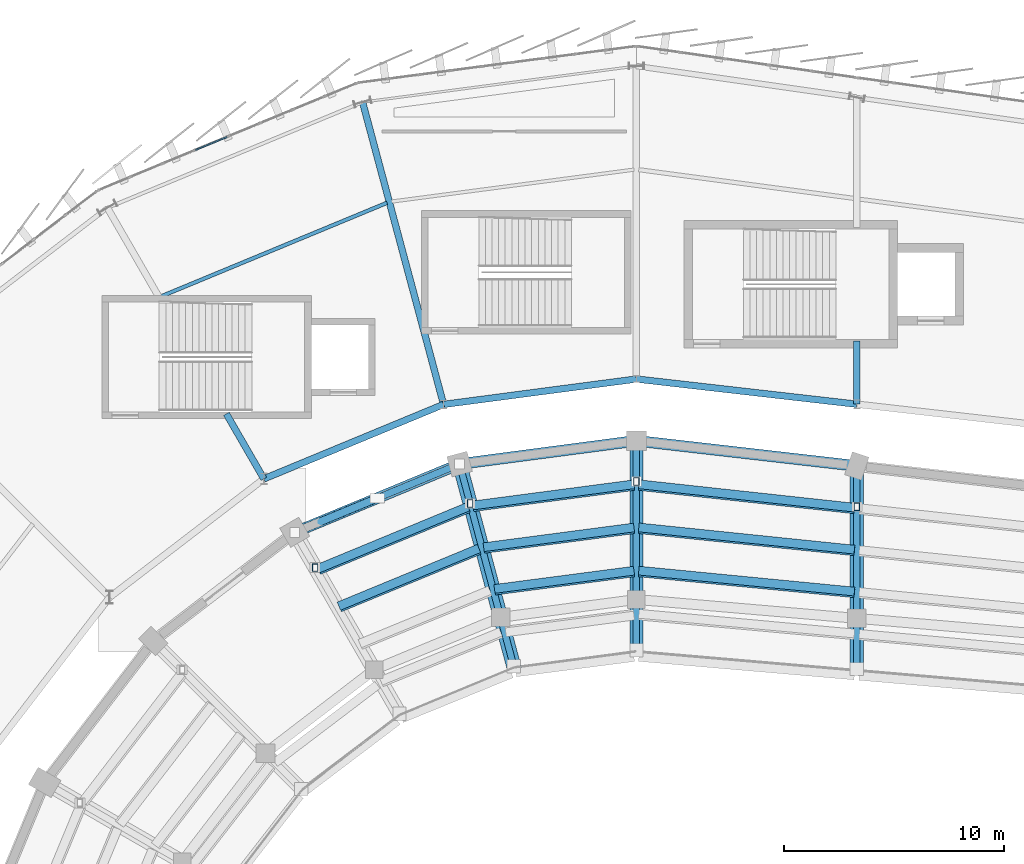
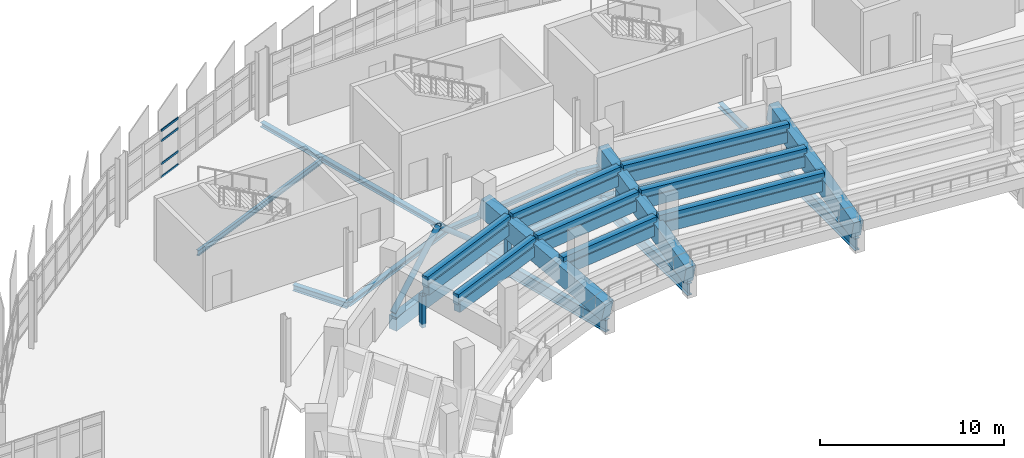
# One storey, part 50 of 120: 32 beams, 10 members, 1 element without a shape of its own.
"""IFC4 building model written with IfcOpenShell, lengths in metres."""

from ifc_helpers import new_model, si_unit, direction, frame, origin, origin_2d, place, context, subcontext, project, spatial, rectangle, hollow_rectangle, hollow_circle, i_section, extrude, material, layer, layer_set, material_profile, profile_set, type_object, element, aggregate, save


model = new_model("IFC4")

# Units and contexts
model_context = context("Model", 3, precision=1e-05, world=origin(), true_north=direction((0.0, 1.0)))
body_context = subcontext(model_context, "Body", "Model", "MODEL_VIEW")
ifc_project = project(units=[si_unit("LENGTHUNIT", "METRE"), si_unit("AREAUNIT", "SQUARE_METRE"), si_unit("VOLUMEUNIT", "CUBIC_METRE"), si_unit("PLANEANGLEUNIT", "RADIAN"), si_unit("MASSUNIT", "GRAM", prefix="KILO")], contexts=[model_context])

# Site, building, storey
site_placement = place(None, origin())
site = spatial("IfcSite", under=ifc_project, at=site_placement, CompositionType="ELEMENT")
building_placement = place(site_placement, origin())
building = spatial("IfcBuilding", under=site, at=building_placement, Name="Sohan Crest Arena", CompositionType="ELEMENT")
storey_placement = place(building_placement, frame((0.0, 0.0, 13.5)))
storey = spatial("IfcBuildingStorey", under=building, at=storey_placement, Name="L03", CompositionType="ELEMENT", Elevation=13.5)

# Curtain wall, members
ifc_material_1 = material(Name="Thermally broken anodised aluminium", Category="aluminium")
ifc_layer = layer(ifc_material_1, 0.199951171875, Name="Thermally broken anodised aluminium")
ifc_layer_set = layer_set([ifc_layer], Name="Thermally broken anodised aluminium")
curtain_wall_type = type_object("IfcCurtainWallType", Name="ARC-CW02", PredefinedType="NOTDEFINED", material=ifc_layer_set)
curtain_wall_placement = place(storey_placement, origin())
curtain_wall = element("IfcCurtainWall", 1, at=curtain_wall_placement, inside=storey, type_object=curtain_wall_type, Name="Unitised curtain wall CW-081", PredefinedType="NOTDEFINED")
ifc_material_profile_1 = material_profile(ifc_material_1, rectangle(XDim=0.06494140625, YDim=0.139892578125, at=origin_2d()), Name="ALU-TRAN 65x140")
ifc_profile_set_1 = profile_set([ifc_material_profile_1], Name="Thermally broken anodised aluminium")
member_type_1 = type_object("IfcMemberType", Name="ARC-CW-TR02", PredefinedType="USERDEFINED", material=ifc_profile_set_1)
member_1_placement = place(storey_placement, frame((79.4169921875, 122.779052734375, 0.032470703125), z_axis=(-0.923909931744, -0.382610033878, 0.0), x_axis=(0.382610033878, -0.923909931744, 0.0)))
member_1 = element("IfcMember", 2, at=member_1_placement, type_object=member_type_1, Name="CW-081 transom 5.1", ObjectType="TRANSOM", PredefinedType="USERDEFINED", context=body_context, shape_type="SweptSolid", body=[
    extrude(rectangle(XDim=0.06494140625, YDim=0.139892578125, at=origin_2d()), origin(), (0.0, 0.0, 1.0), 1.53076171875),
])
member_2_placement = place(storey_placement, frame((79.4169921875, 122.779052734375, 0.89990234375), z_axis=(-0.923909931744, -0.382610033878, 0.0), x_axis=(0.382610033878, -0.923909931744, 0.0)))
member_2 = element("IfcMember", 3, at=member_2_placement, type_object=member_type_1, Name="CW-081 transom 5.2", ObjectType="TRANSOM", PredefinedType="USERDEFINED", context=body_context, shape_type="SweptSolid", body=[
    extrude(rectangle(XDim=0.06494140625, YDim=0.139892578125, at=origin_2d()), origin(), (0.0, 0.0, 1.0), 1.53076171875),
])
member_3_placement = place(storey_placement, frame((79.4169921875, 122.779052734375, 2.419921875), z_axis=(-0.923909931744, -0.382610033878, 0.0), x_axis=(0.382610033878, -0.923909931744, 0.0)))
member_3 = element("IfcMember", 4, at=member_3_placement, type_object=member_type_1, Name="CW-081 transom 5.3", ObjectType="TRANSOM", PredefinedType="USERDEFINED", context=body_context, shape_type="SweptSolid", body=[
    extrude(rectangle(XDim=0.06494140625, YDim=0.139892578125, at=origin_2d()), origin(), (0.0, 0.0, 1.0), 1.53076171875),
])
member_4_placement = place(storey_placement, frame((79.4169921875, 122.779052734375, 3.08740234375), z_axis=(-0.923909931744, -0.382610033878, 0.0), x_axis=(0.382610033878, -0.923909931744, 0.0)))
member_4 = element("IfcMember", 5, at=member_4_placement, type_object=member_type_1, Name="CW-081 transom 5.4", ObjectType="TRANSOM", PredefinedType="USERDEFINED", context=body_context, shape_type="SweptSolid", body=[
    extrude(rectangle(XDim=0.06494140625, YDim=0.139892578125, at=origin_2d()), origin(), (0.0, 0.0, 1.0), 1.53076171875),
])
aggregate(curtain_wall, [member_1, member_2, member_3, member_4])

# Beams
ifc_material_2 = material(Name="Steel S355", Category="steel")
ifc_material_profile_2 = material_profile(ifc_material_2, i_section(OverallWidth=0.169921875, OverallDepth=0.360107421875, WebThickness=0.008056640625, FlangeThickness=0.0126953125, at=origin_2d()), Name="IPE 360")
ifc_profile_set_2 = profile_set([ifc_material_profile_2], Name="Steel S355")
beam_type_1 = type_object("IfcBeamType", Name="STR-BM-B02", PredefinedType="JOIST", material=ifc_profile_set_2)
beam_1_placement = place(storey_placement, frame((86.68798828125, 119.7958984375, -0.429931640625), z_axis=(-0.923874316241, -0.382696025312, 0.0), x_axis=(0.382696025312, -0.923874316241, 0.0)))
element("IfcBeam", 6, at=beam_1_placement, inside=storey, type_object=beam_type_1, Name="Structural beam J-L03-1406", PredefinedType="JOIST", context=body_context, shape_type="SweptSolid", body=[
    extrude(i_section(OverallWidth=0.169921875, OverallDepth=0.360107421875, WebThickness=0.008056640625, FlangeThickness=0.0126953125, at=origin_2d()), origin(), (0.0, 0.0, 1.0), 11.0869140625),
])
ifc_material_profile_3 = material_profile(ifc_material_2, i_section(OverallWidth=0.300048828125, OverallDepth=0.300048828125, WebThickness=0.010986328125, FlangeThickness=0.01904296875, at=origin_2d()), Name="HEB 300")
ifc_profile_set_3 = profile_set([ifc_material_profile_3], Name="Steel S355")
beam_type_2 = type_object("IfcBeamType", Name="STR-BM-B12", PredefinedType="BEAM", material=ifc_profile_set_3)
beam_2_placement = place(storey_placement, frame((98.0, 111.800048828125, -0.39990234375), z_axis=(-0.991439032147, -0.130570461953, 0.0), x_axis=(0.130570461953, -0.991439032147, 0.0)))
element("IfcBeam", 7, at=beam_2_placement, inside=storey, type_object=beam_type_2, Name="Structural beam G-L03-1400", PredefinedType="BEAM", context=body_context, shape_type="SweptSolid", body=[
    extrude(i_section(OverallWidth=0.300048828125, OverallDepth=0.300048828125, WebThickness=0.010986328125, FlangeThickness=0.01904296875, at=origin_2d()), origin(), (0.0, 0.0, 1.0), 8.823486328125),
])
beam_3_placement = place(storey_placement, frame((89.251953125, 110.64794921875, -0.39990234375), z_axis=(-0.258808560729, 0.965928635508, 0.0), x_axis=(-0.965928635508, -0.258808560729, 0.0)))
element("IfcBeam", 8, at=beam_3_placement, inside=storey, type_object=beam_type_2, Name="Structural beam G-L03-1403", PredefinedType="BEAM", context=body_context, shape_type="SweptSolid", body=[
    extrude(i_section(OverallWidth=0.300048828125, OverallDepth=0.300048828125, WebThickness=0.010986328125, FlangeThickness=0.01904296875, at=origin_2d()), origin(), (0.0, 0.0, 1.0), 14.199951171875),
])
beam_4_placement = place(storey_placement, frame((89.251953125, 110.64794921875, -0.39990234375), z_axis=(-0.923904876385, -0.38262224111, 0.0), x_axis=(0.38262224111, -0.923904876385, 0.0)))
element("IfcBeam", 9, at=beam_4_placement, inside=storey, type_object=beam_type_2, Name="Structural beam G-L03-1404", PredefinedType="BEAM", context=body_context, shape_type="SweptSolid", body=[
    extrude(i_section(OverallWidth=0.300048828125, OverallDepth=0.300048828125, WebThickness=0.010986328125, FlangeThickness=0.01904296875, at=origin_2d()), origin(), (0.0, 0.0, 1.0), 8.8232421875),
])
beam_5_placement = place(storey_placement, frame((108.0, 110.656982421875, -0.39990234375), z_axis=(0.0, 1.0, 0.0), x_axis=(-1.0, 0.0, 0.0)))
element("IfcBeam", 10, at=beam_5_placement, inside=storey, type_object=beam_type_2, Name="Structural beam G-L03-1548", PredefinedType="BEAM", context=body_context, shape_type="SweptSolid", body=[
    extrude(i_section(OverallWidth=0.300048828125, OverallDepth=0.300048828125, WebThickness=0.010986328125, FlangeThickness=0.01904296875, at=origin_2d()), origin(), (0.0, 0.0, 1.0), 2.863037109375),
])
beam_6_placement = place(storey_placement, frame((108.0, 110.656982421875, -0.39990234375), z_axis=(-0.99353032697, 0.113567114035, 0.0), x_axis=(-0.113567114035, -0.99353032697, 0.0)))
element("IfcBeam", 11, at=beam_6_placement, inside=storey, type_object=beam_type_2, Name="Structural beam G-L03-1550", PredefinedType="BEAM", context=body_context, shape_type="SweptSolid", body=[
    extrude(i_section(OverallWidth=0.300048828125, OverallDepth=0.300048828125, WebThickness=0.010986328125, FlangeThickness=0.01904296875, at=origin_2d()), origin(), (0.0, 0.0, 1.0), 10.065185546875),
])
ifc_material_profile_4 = material_profile(ifc_material_2, i_section(OverallWidth=0.300048828125, OverallDepth=0.39990234375, WebThickness=0.013427734375, FlangeThickness=0.02392578125, at=origin_2d()), Name="HEB 400")
ifc_profile_set_4 = profile_set([ifc_material_profile_4], Name="Steel S355")
beam_type_3 = type_object("IfcBeamType", Name="STR-BM-B13", PredefinedType="BEAM", material=ifc_profile_set_4)
beam_7_placement = place(storey_placement, frame((81.10009765625, 107.27197265625, -0.449951171875), z_axis=(-0.500026652407, 0.866010015463, 0.0), x_axis=(-0.866010015463, -0.500026652407, 0.0)))
element("IfcBeam", 12, at=beam_7_placement, inside=storey, type_object=beam_type_3, Name="Structural beam G-L03-1407", PredefinedType="BEAM", context=body_context, shape_type="SweptSolid", body=[
    extrude(i_section(OverallWidth=0.300048828125, OverallDepth=0.39990234375, WebThickness=0.013427734375, FlangeThickness=0.02392578125, at=origin_2d()), origin(), (0.0, 0.0, 1.0), 3.404052734375),
])
ifc_material_profile_5 = material_profile(ifc_material_2, i_section(OverallWidth=0.300048828125, OverallDepth=0.800048828125, WebThickness=0.017578125, FlangeThickness=0.032958984375, at=origin_2d()), Name="HEB 800")
ifc_profile_set_5 = profile_set([ifc_material_profile_5], Name="Steel S355")
beam_type_4 = type_object("IfcBeamType", Name="STR-BM-B17", PredefinedType="BEAM", material=ifc_profile_set_5)
beam_8_placement = place(storey_placement, frame((98.0, 109.0, -0.64990234375), z_axis=(0.0, -1.0, 0.0), x_axis=(1.0, 0.0, 0.0)))
element("IfcBeam", 13, at=beam_8_placement, inside=storey, type_object=beam_type_4, Name="Structural beam GC-L03-0812", PredefinedType="BEAM", context=body_context, shape_type="SweptSolid", body=[
    extrude(i_section(OverallWidth=0.300048828125, OverallDepth=0.800048828125, WebThickness=0.017578125, FlangeThickness=0.032958984375, at=origin_2d()), origin(), (0.0, 0.0, 1.0), 9.5),
])
beam_9_placement = place(storey_placement, frame((89.97705078125, 107.944091796875, -0.64990234375), z_axis=(0.258724524678, -0.965951148004, 0.0), x_axis=(0.965951148004, 0.258724524678, 0.0)))
element("IfcBeam", 14, at=beam_9_placement, inside=storey, type_object=beam_type_4, Name="Structural beam GC-L03-0815", PredefinedType="BEAM", context=body_context, shape_type="SweptSolid", body=[
    extrude(i_section(OverallWidth=0.300048828125, OverallDepth=0.800048828125, WebThickness=0.017578125, FlangeThickness=0.032958984375, at=origin_2d()), origin(), (0.0, 0.0, 1.0), 9.50048828125),
])
beam_10_placement = place(storey_placement, frame((108.0, 107.85693359375, -0.64990234375), z_axis=(0.0, -1.0, 0.0), x_axis=(1.0, 0.0, 0.0)))
element("IfcBeam", 15, at=beam_10_placement, inside=storey, type_object=beam_type_4, Name="Structural beam GC-L03-0899", PredefinedType="BEAM", context=body_context, shape_type="SweptSolid", body=[
    extrude(i_section(OverallWidth=0.300048828125, OverallDepth=0.800048828125, WebThickness=0.017578125, FlangeThickness=0.032958984375, at=origin_2d()), origin(), (0.0, 0.0, 1.0), 9.2138671875),
])
ifc_material_3 = material(Name="Precast concrete C50/60", Category="concrete")
ifc_material_profile_6 = material_profile(ifc_material_3, rectangle(XDim=0.60009765625, YDim=1.199951171875, at=origin_2d()), Name="RAKER 600x1200")
ifc_profile_set_6 = profile_set([ifc_material_profile_6], Name="Precast concrete C50/60")
beam_type_5 = type_object("IfcBeamType", Name="STR-BM-RK04", PredefinedType="USERDEFINED", material=ifc_profile_set_6)
beam_11_placement = place(storey_placement, frame((98.0, 99.5, 0.35009765625), z_axis=(0.0, 0.971925616524, 0.235288325135), x_axis=(-1.0, 0.0, 0.0)))
element("IfcBeam", 16, at=beam_11_placement, inside=storey, type_object=beam_type_5, Name="Structural beam RKU-L03-0813", ObjectType="RAKER", PredefinedType="USERDEFINED", context=body_context, shape_type="SweptSolid", body=[
    extrude(rectangle(XDim=0.60009765625, YDim=1.199951171875, at=origin_2d()), origin(), (0.0, 0.0, 1.0), 9.7744140625),
])
beam_12_placement = place(storey_placement, frame((108.0, 98.64306640625, 0.35009765625), z_axis=(0.0, 0.970233167612, 0.242172666638), x_axis=(-1.0, 0.0, 0.0)))
element("IfcBeam", 17, at=beam_12_placement, inside=storey, type_object=beam_type_5, Name="Structural beam RKU-L03-0900", ObjectType="RAKER", PredefinedType="USERDEFINED", context=body_context, shape_type="SweptSolid", body=[
    extrude(rectangle(XDim=0.60009765625, YDim=1.199951171875, at=origin_2d()), origin(), (0.0, 0.0, 1.0), 9.49658203125),
])
ifc_material_profile_7 = material_profile(ifc_material_3, rectangle(XDim=0.64990234375, YDim=1.25, at=origin_2d()), Name="RAKER 650x1250")
ifc_profile_set_7 = profile_set([ifc_material_profile_7], Name="Precast concrete C50/60")
beam_type_6 = type_object("IfcBeamType", Name="STR-BM-RK05", PredefinedType="USERDEFINED", material=ifc_profile_set_7)
beam_13_placement = place(storey_placement, frame((92.43505859375, 98.76708984375, 0.35009765625), z_axis=(-0.251461700111, 0.938835304477, 0.235277037649), x_axis=(-0.965951148004, -0.258724524678, 0.0)))
element("IfcBeam", 18, at=beam_13_placement, inside=storey, type_object=beam_type_6, Name="Structural beam RKU-L03-0816", ObjectType="RAKER", PredefinedType="USERDEFINED", context=body_context, shape_type="SweptSolid", body=[
    extrude(rectangle(XDim=0.64990234375, YDim=1.25, at=origin_2d()), origin(), (0.0, 0.0, 1.0), 9.77490234375),
])
ifc_material_4 = material(Name="Concrete C40/50", Category="concrete")
ifc_material_profile_8 = material_profile(ifc_material_4, rectangle(XDim=0.39990234375, YDim=0.699951171875, at=origin_2d()), Name="RC-BM 400x700")
ifc_profile_set_8 = profile_set([ifc_material_profile_8], Name="Concrete C40/50")
beam_type_7 = type_object("IfcBeamType", Name="STR-BM-TB01", PredefinedType="BEAM", material=ifc_profile_set_8)
beam_14_placement = place(storey_placement, frame((97.89111328125, 103.028076171875, 1.31591796875), z_axis=(-0.991537400988, -0.129821348175, 0.0), x_axis=(0.129821348175, -0.991537400988, 0.0)))
element("IfcBeam", 19, at=beam_14_placement, inside=storey, type_object=beam_type_7, Name="Upper tier rear stringer TSB-U007B", PredefinedType="BEAM", context=body_context, shape_type="SweptSolid", body=[
    extrude(rectangle(XDim=0.39990234375, YDim=0.699951171875, at=origin_2d()), origin(), (0.0, 0.0, 1.0), 6.364013671875),
])
beam_15_placement = place(storey_placement, frame((97.89111328125, 103.10595703125, 1.77587890625), z_axis=(-0.991555783261, -0.129680872456, 0.0), x_axis=(0.129680872456, -0.991555783261, 0.0)))
element("IfcBeam", 20, at=beam_15_placement, inside=storey, type_object=beam_type_7, Name="Upper tier front stringer TSB-U008A", PredefinedType="BEAM", context=body_context, shape_type="SweptSolid", body=[
    extrude(rectangle(XDim=0.39990234375, YDim=0.699951171875, at=origin_2d()), origin(), (0.0, 0.0, 1.0), 6.384033203125),
])
beam_16_placement = place(storey_placement, frame((97.89111328125, 104.988037109375, 1.77587890625), z_axis=(-0.991509079285, -0.130037478041, 0.0), x_axis=(0.130037478041, -0.991509079285, 0.0)))
element("IfcBeam", 21, at=beam_16_placement, inside=storey, type_object=beam_type_7, Name="Upper tier rear stringer TSB-U008B", PredefinedType="BEAM", context=body_context, shape_type="SweptSolid", body=[
    extrude(rectangle(XDim=0.39990234375, YDim=0.699951171875, at=origin_2d()), origin(), (0.0, 0.0, 1.0), 6.8603515625),
])
beam_17_placement = place(storey_placement, frame((97.89111328125, 105.06591796875, 2.236083984375), z_axis=(-0.991503379719, -0.130080928678, 0.0), x_axis=(0.130080928678, -0.991503379719, 0.0)))
element("IfcBeam", 22, at=beam_17_placement, inside=storey, type_object=beam_type_7, Name="Upper tier front stringer TSB-U009A", PredefinedType="BEAM", context=body_context, shape_type="SweptSolid", body=[
    extrude(rectangle(XDim=0.39990234375, YDim=0.699951171875, at=origin_2d()), origin(), (0.0, 0.0, 1.0), 6.88037109375),
])
beam_18_placement = place(storey_placement, frame((97.89111328125, 106.947998046875, 2.236083984375), z_axis=(-0.991467957167, -0.130350642158, 0.0), x_axis=(0.130350642158, -0.991467957167, 0.0)))
element("IfcBeam", 23, at=beam_18_placement, inside=storey, type_object=beam_type_7, Name="Upper tier rear stringer TSB-U009B", PredefinedType="BEAM", context=body_context, shape_type="SweptSolid", body=[
    extrude(rectangle(XDim=0.39990234375, YDim=0.699951171875, at=origin_2d()), origin(), (0.0, 0.0, 1.0), 7.35693359375),
])
beam_19_placement = place(storey_placement, frame((97.89111328125, 107.02587890625, 2.696044921875), z_axis=(-0.991477599894, -0.130277277022, 0.0), x_axis=(0.130277277022, -0.991477599894, 0.0)))
element("IfcBeam", 24, at=beam_19_placement, inside=storey, type_object=beam_type_7, Name="Upper tier front stringer TSB-U010A", PredefinedType="BEAM", context=body_context, shape_type="SweptSolid", body=[
    extrude(rectangle(XDim=0.39990234375, YDim=0.699951171875, at=origin_2d()), origin(), (0.0, 0.0, 1.0), 7.3759765625),
])
beam_20_placement = place(storey_placement, frame((90.8779296875, 104.0400390625, 1.77587890625), z_axis=(-0.924457430112, -0.38128527366, 0.0), x_axis=(0.38128527366, -0.924457430112, 0.0)))
element("IfcBeam", 25, at=beam_20_placement, inside=storey, type_object=beam_type_7, Name="Upper tier rear stringer TSB-U018B", PredefinedType="BEAM", context=body_context, shape_type="SweptSolid", body=[
    extrude(rectangle(XDim=0.39990234375, YDim=0.699951171875, at=origin_2d()), origin(), (0.0, 0.0, 1.0), 6.855712890625),
])
beam_21_placement = place(storey_placement, frame((90.85791015625, 104.114990234375, 2.236083984375), z_axis=(-0.924476463499, -0.381239122383, 0.0), x_axis=(0.381239122383, -0.924476463499, 0.0)))
element("IfcBeam", 26, at=beam_21_placement, inside=storey, type_object=beam_type_7, Name="Upper tier front stringer TSB-U019A", PredefinedType="BEAM", context=body_context, shape_type="SweptSolid", body=[
    extrude(rectangle(XDim=0.39990234375, YDim=0.699951171875, at=origin_2d()), origin(), (0.0, 0.0, 1.0), 6.875244140625),
])
beam_22_placement = place(storey_placement, frame((90.385986328125, 105.93310546875, 2.236083984375), z_axis=(-0.924161566346, -0.382001831527, 0.0), x_axis=(0.382001831527, -0.924161566346, 0.0)))
element("IfcBeam", 27, at=beam_22_placement, inside=storey, type_object=beam_type_7, Name="Upper tier rear stringer TSB-U019B", PredefinedType="BEAM", context=body_context, shape_type="SweptSolid", body=[
    extrude(rectangle(XDim=0.39990234375, YDim=0.699951171875, at=origin_2d()), origin(), (0.0, 0.0, 1.0), 7.353515625),
])
beam_23_placement = place(storey_placement, frame((90.366943359375, 106.009033203125, 2.696044921875), z_axis=(-0.924105939997, -0.382136378355, 0.0), x_axis=(0.382136378355, -0.924105939997, 0.0)))
element("IfcBeam", 28, at=beam_23_placement, inside=storey, type_object=beam_type_7, Name="Upper tier front stringer TSB-U020A", PredefinedType="BEAM", context=body_context, shape_type="SweptSolid", body=[
    extrude(rectangle(XDim=0.39990234375, YDim=0.699951171875, at=origin_2d()), origin(), (0.0, 0.0, 1.0), 7.37451171875),
])
for number, where, z_axis, x_axis, name in (
    (29, (107.89111328125, 102.0830078125, 1.31591796875), (-0.995337020506, 0.09645836205, 0.0), (-0.09645836205, -0.995337020506, 0.0), "Upper tier rear stringer TSB-U262B"),
    (30, (107.89111328125, 102.159912109375, 1.77587890625), (-0.995327475859, 0.096556800905, 0.0), (-0.096556800905, -0.995327475859, 0.0), "Upper tier front stringer TSB-U263A"),
):
    element("IfcBeam", number, at=place(storey_placement, frame(where, z_axis=z_axis, x_axis=x_axis)), inside=storey, type_object=beam_type_7, Name=name, PredefinedType="BEAM", context=body_context, shape_type="SweptSolid", body=[
        extrude(rectangle(XDim=0.39990234375, YDim=0.699951171875, at=origin_2d()), origin(), (0.0, 0.0, 1.0), 9.828125),
    ])
beam_24_placement = place(storey_placement, frame((107.89111328125, 103.986083984375, 1.77587890625), z_axis=(-0.994765143876, 0.10218761436, 0.0), x_axis=(-0.10218761436, -0.994765143876, 0.0)))
element("IfcBeam", 31, at=beam_24_placement, inside=storey, type_object=beam_type_7, Name="Upper tier rear stringer TSB-U263B", PredefinedType="BEAM", context=body_context, shape_type="SweptSolid", body=[
    extrude(rectangle(XDim=0.39990234375, YDim=0.699951171875, at=origin_2d()), origin(), (0.0, 0.0, 1.0), 9.833740234375),
])
beam_25_placement = place(storey_placement, frame((107.89111328125, 104.06201171875, 2.236083984375), z_axis=(-0.994742406315, 0.102408715834, 0.0), x_axis=(-0.102408715834, -0.994742406315, 0.0)))
element("IfcBeam", 32, at=beam_25_placement, inside=storey, type_object=beam_type_7, Name="Upper tier front stringer TSB-U264A", PredefinedType="BEAM", context=body_context, shape_type="SweptSolid", body=[
    extrude(rectangle(XDim=0.39990234375, YDim=0.699951171875, at=origin_2d()), origin(), (0.0, 0.0, 1.0), 9.833984375),
])
for number, where, z_axis, x_axis, name in (
    (33, (107.89111328125, 105.889892578125, 2.236083984375), (-0.994179641162, 0.107735050462, 0.0), (-0.107735050462, -0.994179641162, 0.0), "Upper tier rear stringer TSB-U264B"),
    (34, (107.89111328125, 105.966064453125, 2.696044921875), (-0.994158361485, 0.107931238706, 0.0), (-0.107931238706, -0.994158361485, 0.0), "Upper tier front stringer TSB-U265A"),
):
    element("IfcBeam", number, at=place(storey_placement, frame(where, z_axis=z_axis, x_axis=x_axis)), inside=storey, type_object=beam_type_7, Name=name, PredefinedType="BEAM", context=body_context, shape_type="SweptSolid", body=[
        extrude(rectangle(XDim=0.39990234375, YDim=0.699951171875, at=origin_2d()), origin(), (0.0, 0.0, 1.0), 9.839599609375),
    ])
ifc_material_profile_9 = material_profile(ifc_material_4, rectangle(XDim=0.5, YDim=0.89990234375, at=origin_2d()), Name="RC-BM 500x900")
ifc_profile_set_9 = profile_set([ifc_material_profile_9], Name="Concrete C40/50")
beam_type_8 = type_object("IfcBeamType", Name="STR-BM-TB03", PredefinedType="BEAM", material=ifc_profile_set_9)
beam_26_placement = place(storey_placement, frame((98.0, 109.0, -0.699951171875), z_axis=(-0.99145018748, -0.130485730048, 0.0), x_axis=(0.130485730048, -0.99145018748, 0.0)))
element("IfcBeam", 35, at=beam_26_placement, inside=storey, type_object=beam_type_8, Name="Structural beam TB-L03-0075", PredefinedType="BEAM", context=body_context, shape_type="SweptSolid", body=[
    extrude(rectangle(XDim=0.5, YDim=0.89990234375, at=origin_2d()), origin(), (0.0, 0.0, 1.0), 8.092041015625),
])
beam_27_placement = place(storey_placement, frame((89.97705078125, 107.944091796875, -0.699951171875), z_axis=(-0.923876381497, -0.382691039498, 0.0), x_axis=(0.382691039498, -0.923876381497, 0.0)))
element("IfcBeam", 36, at=beam_27_placement, inside=storey, type_object=beam_type_8, Name="Structural beam TB-L03-0097", PredefinedType="BEAM", context=body_context, shape_type="SweptSolid", body=[
    extrude(rectangle(XDim=0.5, YDim=0.89990234375, at=origin_2d()), origin(), (0.0, 0.0, 1.0), 8.093017578125),
])
beam_28_placement = place(storey_placement, frame((108.0, 107.85693359375, -0.699951171875), z_axis=(-0.99353032697, 0.113567114035, 0.0), x_axis=(-0.113567114035, -0.99353032697, 0.0)))
element("IfcBeam", 37, at=beam_28_placement, inside=storey, type_object=beam_type_8, Name="Structural beam TB-L03-0807", PredefinedType="BEAM", context=body_context, shape_type="SweptSolid", body=[
    extrude(rectangle(XDim=0.5, YDim=0.89990234375, at=origin_2d()), origin(), (0.0, 0.0, 1.0), 10.065185546875),
])

# Members
ifc_material_profile_10 = material_profile(ifc_material_2, hollow_circle(Radius=0.161865234375, WallThickness=0.012451171875, at=origin_2d()), Name="CHS 323.9x12.5")
ifc_profile_set_10 = profile_set([ifc_material_profile_10], Name="Steel S355")
member_type_2 = type_object("IfcMemberType", Name="STR-MEM-BR03", PredefinedType="BRACE", material=ifc_profile_set_10)
member_5_placement = place(storey_placement, frame((89.97705078125, 107.944091796875, 0.0), z_axis=(-0.698697959822, -0.289545983611, 0.654205078179), x_axis=(0.38283670055, -0.923816031855, 0.0)))
element("IfcMember", 38, at=member_5_placement, inside=storey, type_object=member_type_2, Name="Concentric lateral chevron brace BR-007", PredefinedType="BRACE", context=body_context, shape_type="SweptSolid", body=[
    extrude(hollow_circle(Radius=0.161865234375, WallThickness=0.012451171875, at=origin_2d()), origin(), (0.0, 0.0, 1.0), 5.35009765625),
])
ifc_material_profile_11 = material_profile(ifc_material_2, hollow_circle(Radius=0.177734375, WallThickness=0.01611328125, at=origin_2d()), Name="CHS 355.6x16")
ifc_profile_set_11 = profile_set([ifc_material_profile_11], Name="Steel S355")
member_type_3 = type_object("IfcMemberType", Name="STR-MEM-BR04", PredefinedType="BRACE", material=ifc_profile_set_11)
member_6_placement = place(storey_placement, frame((82.5, 104.846923828125, 0.0), z_axis=(0.698828281736, 0.289341830525, 0.654156202871), x_axis=(-0.382545387958, 0.923936700295, 0.0)))
element("IfcMember", 39, at=member_6_placement, inside=storey, type_object=member_type_3, Name="Concentric lateral chevron brace BR-008", PredefinedType="BRACE", context=body_context, shape_type="SweptSolid", body=[
    extrude(hollow_circle(Radius=0.177734375, WallThickness=0.01611328125, at=origin_2d()), origin(), (0.0, 0.0, 1.0), 5.350341796875),
])
ifc_material_profile_12 = material_profile(ifc_material_2, hollow_rectangle(XDim=0.25, YDim=0.35009765625, WallThickness=0.012451171875, at=origin_2d()), Name="RHS 350x250x12.5")
ifc_profile_set_12 = profile_set([ifc_material_profile_12], Name="Steel S355")
member_type_4 = type_object("IfcMemberType", Name="STR-MEM-CH04", PredefinedType="CHORD", material=ifc_profile_set_12)
member_7_placement = place(storey_placement, frame((98.0, 107.14990234375, -0.260009765625), z_axis=(0.0, 0.0, 1.0), x_axis=(1.0, 0.0, 0.0)))
element("IfcMember", 40, at=member_7_placement, inside=storey, type_object=member_type_4, Name="Upper tier rear raker support post RKP-O01", PredefinedType="CHORD", context=body_context, shape_type="SweptSolid", body=[
    extrude(hollow_rectangle(XDim=0.25, YDim=0.35009765625, WallThickness=0.012451171875, at=origin_2d()), origin(), (0.0, 0.0, 1.0), 2.159912109375),
])
member_8_placement = place(storey_placement, frame((90.4560546875, 106.156982421875, -0.260009765625), z_axis=(0.0, 0.0, 1.0), x_axis=(1.0, 0.0, 0.0)))
element("IfcMember", 41, at=member_8_placement, inside=storey, type_object=member_type_4, Name="Upper tier rear raker support post RKP-O02", PredefinedType="CHORD", context=body_context, shape_type="SweptSolid", body=[
    extrude(hollow_rectangle(XDim=0.25, YDim=0.35009765625, WallThickness=0.012451171875, at=origin_2d()), origin(), (0.0, 0.0, 1.0), 2.135009765625),
])
member_9_placement = place(storey_placement, frame((83.425048828125, 103.2451171875, -0.260009765625), z_axis=(0.0, 0.0, 1.0), x_axis=(1.0, 0.0, 0.0)))
element("IfcMember", 42, at=member_9_placement, inside=storey, type_object=member_type_4, Name="Upper tier rear raker support post RKP-O03", PredefinedType="CHORD", context=body_context, shape_type="SweptSolid", body=[
    extrude(hollow_rectangle(XDim=0.25, YDim=0.35009765625, WallThickness=0.012451171875, at=origin_2d()), origin(), (0.0, 0.0, 1.0), 2.0849609375),
])
member_10_placement = place(storey_placement, frame((108.0, 106.007080078125, -0.260009765625), z_axis=(0.0, 0.0, 1.0), x_axis=(1.0, 0.0, 0.0)))
element("IfcMember", 43, at=member_10_placement, inside=storey, type_object=member_type_4, Name="Upper tier rear raker support post RKP-O34", PredefinedType="CHORD", context=body_context, shape_type="SweptSolid", body=[
    extrude(hollow_rectangle(XDim=0.25, YDim=0.35009765625, WallThickness=0.012451171875, at=origin_2d()), origin(), (0.0, 0.0, 1.0), 2.159912109375),
])

save(model, "model.ifc")
